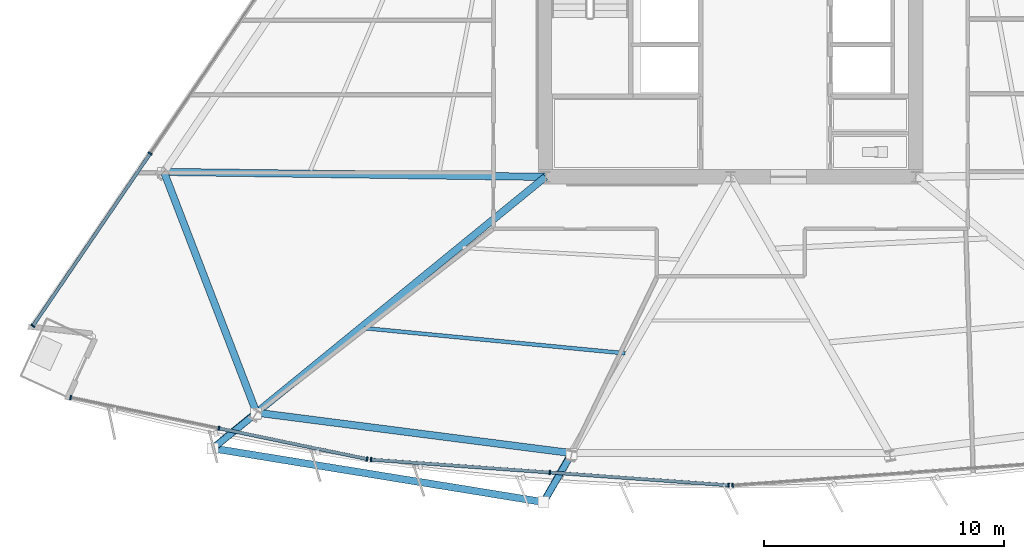
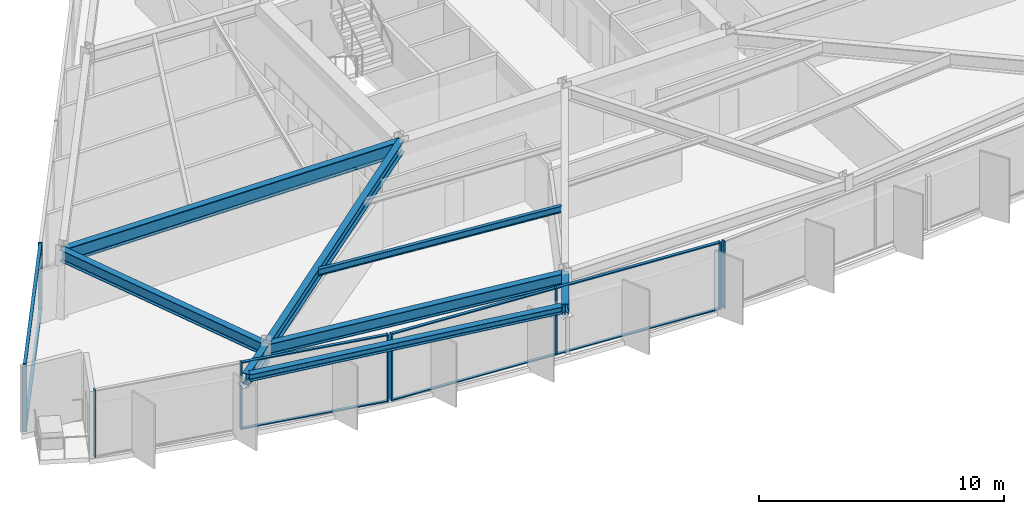
# One storey, part 2 of 17: 19 members, 8 beams, 4 elements without a shape of their own.
"""IFC4 building model written with IfcOpenShell, lengths in metres."""

import ifcopenshell
import ifcopenshell.guid

model = None  # the IFC model being written
_history = None  # IfcOwnerHistory: only IFC2X3 demands one
_inside = {}  # id of a spatial element -> (the spatial element, [elements in it])
_under = {}  # id of a project, library or spatial element -> (it, [spatial elements below it])
_declared = {}  # id of a project -> (the project, [libraries it declares])
_typed = {}  # id of a type object -> (the type object, [elements of that type])
_made_of = {}  # id of a material, layer set ... -> (it, [elements and type objects made of it])


def new_model(schema):
    """Start an empty IFC model of exactly this schema.

    Asked for "IFC4X3", IfcOpenShell would pick the latest addendum, in which some entities
    have other attributes; the version numbers below select the first issue.
    IFC2X3 requires an IfcOwnerHistory on every rooted entity: one is made here for all.
    """
    global model, _history
    if schema == "IFC4X3":
        model = ifcopenshell.file(schema_version=(4, 3, 0, 0))
    else:
        model = ifcopenshell.file(schema=schema)
    _inside.clear()
    _under.clear()
    _declared.clear()
    _typed.clear()
    _made_of.clear()
    _history = None
    if model.schema == "IFC2X3":
        org = make("IfcOrganization", Name="unknown")
        user = make(
            "IfcPersonAndOrganization",
            ThePerson=make("IfcPerson", FamilyName="unknown"),
            TheOrganization=org,
        )
        app = make(
            "IfcApplication",
            ApplicationDeveloper=org,
            Version="unknown",
            ApplicationFullName="unknown",
            ApplicationIdentifier="unknown",
        )
        _history = make(
            "IfcOwnerHistory",
            OwningUser=user,
            OwningApplication=app,
            ChangeAction="ADDED",
            CreationDate=0,
        )
    return model


def make(cls, **values):
    """One entity of the class cls with the attributes given. An attribute that is None is left unset."""
    return model.create_entity(
        cls, **{name: value for name, value in values.items() if value is not None}
    )


def rooted(cls, **values):
    """An entity with a GlobalId (a new one), such as an element, a storey or a relation."""
    return make(cls, GlobalId=ifcopenshell.guid.new(), OwnerHistory=_history, **values)


def si_unit(unit_type, name, prefix=None):
    """IfcSIUnit, for example si_unit("LENGTHUNIT", "METRE", prefix="MILLI")."""
    return make("IfcSIUnit", UnitType=unit_type, Prefix=prefix, Name=name)


def assignment(units):
    """IfcUnitAssignment: the units of a project."""
    return None if units is None else make("IfcUnitAssignment", Units=units)


def point(xyz):
    """IfcCartesianPoint."""
    return None if xyz is None else make("IfcCartesianPoint", Coordinates=xyz)


def direction(xyz):
    """IfcDirection."""
    return None if xyz is None else make("IfcDirection", DirectionRatios=xyz)


def frame(location, z_axis=None, x_axis=None):
    """IfcAxis2Placement3D, a coordinate frame: its origin and axes. An axis left out is left unset."""
    return make(
        "IfcAxis2Placement3D",
        Location=point(location),
        Axis=direction(z_axis),
        RefDirection=direction(x_axis),
    )


def frame_2d(location, x_axis=None):
    """IfcAxis2Placement2D, a coordinate frame in the plane: its origin and x axis."""
    return make(
        "IfcAxis2Placement2D", Location=point(location), RefDirection=direction(x_axis)
    )


def origin():
    """The frame at (0, 0, 0) with its axes left unset."""
    return frame((0.0, 0.0, 0.0))


def origin_2d():
    """The frame at (0, 0) in the plane with its x axis left unset."""
    return frame_2d((0.0, 0.0))


def place(relative_to, where):
    """IfcLocalPlacement: puts the frame where relative to a parent placement (None: the world)."""
    return make(
        "IfcLocalPlacement", PlacementRelTo=relative_to, RelativePlacement=where
    )


def context(
    kind, dimensions, precision=None, world=None, true_north=None, identifier=None
):
    """IfcGeometricRepresentationContext, for example the 3D "Model" context."""
    return make(
        "IfcGeometricRepresentationContext",
        ContextIdentifier=identifier,
        ContextType=kind,
        CoordinateSpaceDimension=dimensions,
        Precision=precision,
        WorldCoordinateSystem=world,
        TrueNorth=true_north,
    )


def subcontext(parent, identifier, kind, view, scale=None):
    """IfcGeometricRepresentationSubContext, for example "Body" below "Model"."""
    return make(
        "IfcGeometricRepresentationSubContext",
        ContextIdentifier=identifier,
        ContextType=kind,
        ParentContext=parent,
        TargetScale=scale,
        TargetView=view,
    )


def project(units=None, contexts=None):
    """IfcProject with its units and contexts."""
    return rooted(
        "IfcProject",
        Name="project",
        RepresentationContexts=contexts,
        UnitsInContext=assignment(units),
    )


def spatial(cls, under=None, at=None, **own):
    """A site, building, storey or space (cls), placed at a placement, below another one or the project."""
    s = rooted(cls, ObjectPlacement=at, **own)
    if under is not None:
        _under.setdefault(under.id(), (under, []))[1].append(s)
    return s


def profile(cls, at=None, kind="AREA", **sizes):
    """A parametric profile (cls). Its sizes go by their IFC names, for example OverallWidth=200.0."""
    return make(cls, ProfileType=kind, Position=at, **sizes)


def rectangle(**sizes):
    """IfcRectangleProfileDef."""
    return profile("IfcRectangleProfileDef", **sizes)


def hollow_circle(**sizes):
    """IfcCircleHollowProfileDef."""
    return profile("IfcCircleHollowProfileDef", **sizes)


def i_section(**sizes):
    """IfcIShapeProfileDef."""
    return profile("IfcIShapeProfileDef", **sizes)


def extrude(swept, where, along, depth):
    """IfcExtrudedAreaSolid: the profile swept, set in the frame where, extruded along a direction by depth."""
    return make(
        "IfcExtrudedAreaSolid",
        SweptArea=swept,
        Position=where,
        ExtrudedDirection=direction(along),
        Depth=depth,
    )


def shape(context_of_items, identifier, shape_type, items):
    """IfcShapeRepresentation: the items that make up one representation, for example the "Body"."""
    return make(
        "IfcShapeRepresentation",
        ContextOfItems=context_of_items,
        RepresentationIdentifier=identifier,
        RepresentationType=shape_type,
        Items=items,
    )


def material(Name=None, Category=None):
    """IfcMaterial."""
    return make("IfcMaterial", Name=Name, Category=Category)


def material_profile(
    of_material, cross_section, Name=None, Category=None, Priority=None
):
    """IfcMaterialProfile: a cross section and its material."""
    return make(
        "IfcMaterialProfile",
        Name=Name,
        Material=of_material,
        Profile=cross_section,
        Priority=Priority,
        Category=Category,
    )


def profile_set(profiles, Name=None, composite=None):
    """IfcMaterialProfileSet."""
    return make(
        "IfcMaterialProfileSet",
        Name=Name,
        MaterialProfiles=profiles,
        CompositeProfile=composite,
    )


def made_of(thing, what):
    """Note that an element or type object is made of a material, layer set ...; save() writes the relation."""
    if what is not None:
        _made_of.setdefault(what.id(), (what, []))[1].append(thing)
    return thing


def type_object(cls, material=None, **own):
    """A type object (cls), such as IfcWallType, which elements share."""
    return made_of(rooted(cls, **own), material)


def element(
    cls,
    number,
    at=None,
    inside=None,
    cuts=None,
    type_object=None,
    material=None,
    context=None,
    identifier="Body",
    shape_type=None,
    held_by="IfcProductDefinitionShape",
    body=None,
    shapes=None,
    **own,
):
    """One element of the class cls, such as IfcWall. Its Tag is "e" and its number.

    at: its placement. inside: the storey or other place that contains it. cuts: it is an
    opening in that element (IfcRelVoidsElement). A single representation is given by context,
    identifier, shape_type and body (its items); several are given by shapes. held_by: the class
    of the entity that holds the representations. save() writes the other relations.
    """
    e = rooted(cls, Tag="e%d" % number, ObjectPlacement=at, **own)
    if body is not None:
        shapes = [shape(context, identifier, shape_type, body)]
    if shapes is not None:
        e.Representation = make(held_by, Representations=shapes)
    if inside is not None:
        _inside.setdefault(inside.id(), (inside, []))[1].append(e)
    if cuts is not None:
        rooted(
            "IfcRelVoidsElement", RelatingBuildingElement=cuts, RelatedOpeningElement=e
        )
    if type_object is not None:
        _typed.setdefault(type_object.id(), (type_object, []))[1].append(e)
    return made_of(e, material)


def aggregate(whole, parts):
    """IfcRelAggregates: a whole, such as a stair, and the parts it consists of."""
    return rooted("IfcRelAggregates", RelatingObject=whole, RelatedObjects=parts)


def save(model, path):
    """Write the relations noted so far, then the file.

    IfcRelAggregates (storeys below a building ...), IfcRelContainedInSpatialStructure (elements
    in a storey), IfcRelDefinesByType, IfcRelAssociatesMaterial and IfcRelDeclares: one each for
    every whole, place, type object, material and project.
    """
    for whole, parts in _under.values():
        aggregate(whole, parts)
    for where, things in _inside.values():
        rooted(
            "IfcRelContainedInSpatialStructure",
            RelatedElements=things,
            RelatingStructure=where,
        )
    for kind, things in _typed.values():
        rooted("IfcRelDefinesByType", RelatedObjects=things, RelatingType=kind)
    for what, things in _made_of.values():
        rooted("IfcRelAssociatesMaterial", RelatedObjects=things, RelatingMaterial=what)
    for by, libraries in _declared.values():
        rooted("IfcRelDeclares", RelatingContext=by, RelatedDefinitions=libraries)
    model.write(path)


model = new_model("IFC4")

# Units and contexts
model_context = context("Model", 3, precision=1e-05, world=origin(), true_north=direction((0.0, 1.0)))
body_context = subcontext(model_context, "Body", "Model", "MODEL_VIEW")
ifc_project = project(units=[si_unit("LENGTHUNIT", "METRE"), si_unit("AREAUNIT", "SQUARE_METRE"), si_unit("VOLUMEUNIT", "CUBIC_METRE"), si_unit("PLANEANGLEUNIT", "RADIAN"), si_unit("MASSUNIT", "GRAM", prefix="KILO")], contexts=[model_context])

# Site, building, storey
site_placement = place(None, origin())
site = spatial("IfcSite", under=ifc_project, at=site_placement, CompositionType="ELEMENT")
building_placement = place(site_placement, origin())
building = spatial("IfcBuilding", under=site, at=building_placement, Name="Savorim Split Tower", CompositionType="ELEMENT")
storey_placement = place(building_placement, frame((0.0, 0.0, 55.199951171875)))
storey = spatial("IfcBuildingStorey", under=building, at=storey_placement, Name="L14", CompositionType="ELEMENT", Elevation=55.199951171875)

# Beams
ifc_material_1 = material(Name="Steel S355", Category="steel")
ifc_material_profile_1 = material_profile(ifc_material_1, i_section(OverallWidth=0.159912109375, OverallDepth=0.330078125, WebThickness=0.007568359375, FlangeThickness=0.011474609375, FilletRadius=0.01806640625, at=origin_2d()), Name="IPE 330")
ifc_profile_set_1 = profile_set([ifc_material_profile_1], Name="Steel S355")
beam_type_1 = type_object("IfcBeamType", Name="BM-JST-IPE330", PredefinedType="JOIST", material=ifc_profile_set_1)
beam_1_placement = place(storey_placement, frame((-15.230712890625, -15.69091796875, 3.18505859375), z_axis=(0.995375418539, -0.096061314626, 0.0), x_axis=(0.096061314626, 0.995375418539, 0.0)))
element("IfcBeam", 1, at=beam_1_placement, inside=storey, type_object=beam_type_1, Name="L14 Secondary Floor Joist JS-01", PredefinedType="JOIST", context=body_context, shape_type="SweptSolid", body=[
    extrude(i_section(OverallWidth=0.159912109375, OverallDepth=0.330078125, WebThickness=0.007568359375, FlangeThickness=0.011474609375, FilletRadius=0.01806640625, at=origin_2d()), origin(), (0.0, 0.0, 1.0), 10.892822265625),
])
ifc_material_profile_2 = material_profile(ifc_material_1, i_section(OverallWidth=0.300048828125, OverallDepth=0.550048828125, WebThickness=0.014892578125, FlangeThickness=0.029052734375, FilletRadius=0.027099609375, at=origin_2d()), Name="HEB 550")
ifc_profile_set_2 = profile_set([ifc_material_profile_2], Name="Steel S355")
beam_type_2 = type_object("IfcBeamType", Name="BM-PRI-HEB550", PredefinedType="BEAM", material=ifc_profile_set_2)
beam_2_placement = place(storey_placement, frame((-19.7158203125, -19.20556640625, 3.074951171875), z_axis=(-0.774729747802, -0.632292509738, 0.0), x_axis=(0.632292509738, -0.774729747802, 0.0)))
element("IfcBeam", 2, at=beam_2_placement, inside=storey, type_object=beam_type_2, Name="L14 Cantilevered Lounge Rib 1", PredefinedType="BEAM", context=body_context, shape_type="SweptSolid", body=[
    extrude(i_section(OverallWidth=0.300048828125, OverallDepth=0.550048828125, WebThickness=0.014892578125, FlangeThickness=0.029052734375, FilletRadius=0.027099609375, at=origin_2d()), origin(), (0.0, 0.0, 1.0), 2.349853515625),
])
beam_3_placement = place(storey_placement, frame((-6.60791015625, -20.888427734375, 3.074951171875), z_axis=(-0.498564812038, -0.866852425848, 0.0), x_axis=(0.866852425848, -0.498564812038, 0.0)))
element("IfcBeam", 3, at=beam_3_placement, inside=storey, type_object=beam_type_2, Name="L14 Cantilevered Lounge Rib 2", PredefinedType="BEAM", context=body_context, shape_type="SweptSolid", body=[
    extrude(i_section(OverallWidth=0.300048828125, OverallDepth=0.550048828125, WebThickness=0.014892578125, FlangeThickness=0.029052734375, FilletRadius=0.027099609375, at=origin_2d()), origin(), (0.0, 0.0, 1.0), 2.35009765625),
])
ifc_material_profile_3 = material_profile(ifc_material_1, i_section(OverallWidth=0.300048828125, OverallDepth=0.60009765625, WebThickness=0.015380859375, FlangeThickness=0.030029296875, FilletRadius=0.027099609375, at=origin_2d()), Name="HEB 600")
ifc_profile_set_3 = profile_set([ifc_material_profile_3], Name="Steel S355")
beam_type_3 = type_object("IfcBeamType", Name="BM-PRI-HEB600", PredefinedType="BEAM", material=ifc_profile_set_3)
beam_4_placement = place(storey_placement, frame((-19.7158203125, -19.20556640625, 3.050048828125), z_axis=(0.774762541834, 0.63225232603, 0.0), x_axis=(-0.63225232603, 0.774762541834, 0.0)))
element("IfcBeam", 4, at=beam_4_placement, inside=storey, type_object=beam_type_3, Name="L14 Primary Floor Girder RG-01", PredefinedType="BEAM", context=body_context, shape_type="SweptSolid", body=[
    extrude(i_section(OverallWidth=0.300048828125, OverallDepth=0.60009765625, WebThickness=0.015380859375, FlangeThickness=0.030029296875, FilletRadius=0.027099609375, at=origin_2d()), origin(), (0.0, 0.0, 1.0), 15.509033203125),
])
ifc_material_2 = material(Name="Steel S460", Category="steel")
ifc_material_profile_4 = material_profile(ifc_material_2, i_section(OverallWidth=0.303955078125, OverallDepth=0.716064453125, WebThickness=0.02099609375, FlangeThickness=0.0400390625, FilletRadius=0.027099609375, at=origin_2d()), Name="HE 700 M")
ifc_profile_set_4 = profile_set([ifc_material_profile_4], Name="Steel S460")
beam_type_4 = type_object("IfcBeamType", Name="BM-PRI-HEM700", PredefinedType="BEAM", material=ifc_profile_set_4)
beam_5_placement = place(storey_placement, frame((-23.56640625, -9.193603515625, 2.991943359375), z_axis=(0.999915482109, -0.013001101454, 0.0), x_axis=(0.013001101454, 0.999915482109, 0.0)))
element("IfcBeam", 5, at=beam_5_placement, inside=storey, type_object=beam_type_4, Name="L14 Primary Floor Girder RG-10", PredefinedType="BEAM", context=body_context, shape_type="SweptSolid", body=[
    extrude(i_section(OverallWidth=0.303955078125, OverallDepth=0.716064453125, WebThickness=0.02099609375, FlangeThickness=0.0400390625, FilletRadius=0.027099609375, at=origin_2d()), origin(), (0.0, 0.0, 1.0), 15.86767578125),
])
ifc_material_profile_5 = material_profile(ifc_material_1, i_section(OverallWidth=0.300048828125, OverallDepth=0.35009765625, WebThickness=0.010009765625, FlangeThickness=0.017578125, FilletRadius=0.027099609375, at=origin_2d()), Name="HEA 360")
ifc_profile_set_5 = profile_set([ifc_material_profile_5], Name="Steel S355")
beam_type_5 = type_object("IfcBeamType", Name="BM-SPN-HEA360", PredefinedType="SPANDREL", material=ifc_profile_set_5)
beam_6_placement = place(storey_placement, frame((-21.37841796875, -20.716796875, 3.175048828125), z_axis=(0.987064866442, -0.16032139419, 0.0), x_axis=(0.16032139419, 0.987064866442, 0.0)))
element("IfcBeam", 6, at=beam_6_placement, inside=storey, type_object=beam_type_5, Name="L14 Cantilevered Lounge Front Edge Beam", PredefinedType="SPANDREL", context=body_context, shape_type="SweptSolid", body=[
    extrude(i_section(OverallWidth=0.300048828125, OverallDepth=0.35009765625, WebThickness=0.010009765625, FlangeThickness=0.017578125, FilletRadius=0.027099609375, at=origin_2d()), origin(), (0.0, 0.0, 1.0), 13.616943359375),
])
ifc_material_profile_6 = material_profile(ifc_material_1, i_section(OverallWidth=0.300048828125, OverallDepth=0.590087890625, WebThickness=0.012939453125, FlangeThickness=0.02490234375, FilletRadius=0.027099609375, at=origin_2d()), Name="HEA 600")
ifc_profile_set_6 = profile_set([ifc_material_profile_6], Name="Steel S355")
beam_type_6 = type_object("IfcBeamType", Name="BM-SPN-HEA600", PredefinedType="SPANDREL", material=ifc_profile_set_6)
beam_7_placement = place(storey_placement, frame((-19.7158203125, -19.20556640625, 3.054931640625), z_axis=(0.991859124455, -0.127340006423, 0.0), x_axis=(0.127340006423, 0.991859124455, 0.0)))
element("IfcBeam", 7, at=beam_7_placement, inside=storey, type_object=beam_type_6, Name="L14 Perimeter Spandrel Beam 1", PredefinedType="SPANDREL", context=body_context, shape_type="SweptSolid", body=[
    extrude(i_section(OverallWidth=0.300048828125, OverallDepth=0.590087890625, WebThickness=0.012939453125, FlangeThickness=0.02490234375, FilletRadius=0.027099609375, at=origin_2d()), origin(), (0.0, 0.0, 1.0), 13.215576171875),
])
beam_8_placement = place(storey_placement, frame((-23.56640625, -9.193603515625, 3.054931640625), z_axis=(0.358965353084, -0.933350885405, 0.0), x_axis=(0.933350885405, 0.358965353084, 0.0)))
element("IfcBeam", 8, at=beam_8_placement, inside=storey, type_object=beam_type_6, Name="L14 Perimeter Spandrel Beam 10", PredefinedType="SPANDREL", context=body_context, shape_type="SweptSolid", body=[
    extrude(i_section(OverallWidth=0.300048828125, OverallDepth=0.590087890625, WebThickness=0.012939453125, FlangeThickness=0.02490234375, FilletRadius=0.027099609375, at=origin_2d()), origin(), (0.0, 0.0, 1.0), 10.726806640625),
])

# Curtain wall, members
ifc_material_3 = material(Name="Dark Ceramic-Fritted Insulated Glass", Category="glass")
curtain_wall_type = type_object("IfcCurtainWallType", Name="CW-TWR-FRIT-A", PredefinedType="NOTDEFINED", material=ifc_material_3)
curtain_wall_1_placement = place(storey_placement, origin())
curtain_wall_1 = element("IfcCurtainWall", 9, at=curtain_wall_1_placement, inside=storey, type_object=curtain_wall_type, Name="L14 Curtain Wall CW-L14-SF1", PredefinedType="NOTDEFINED")
ifc_material_4 = material(Name="Charcoal Anodised Aluminium", Category="aluminium")
ifc_material_profile_7 = material_profile(ifc_material_4, rectangle(XDim=0.179931640625, YDim=0.06494140625, at=origin_2d()), Name="ALU-M 180x65")
ifc_profile_set_7 = profile_set([ifc_material_profile_7], Name="Charcoal Anodised Aluminium")
member_type_1 = type_object("IfcMemberType", Name="CWM-180x65", PredefinedType="MULLION", material=ifc_profile_set_7)
member_1_placement = place(storey_placement, frame((-27.44677734375, -18.575439453125, 0.0), z_axis=(0.0, 0.0, 1.0), x_axis=(0.203214027305, 0.979134341705, 0.0)))
member_1 = element("IfcMember", 10, at=member_1_placement, type_object=member_type_1, Name="CW-02 mullion 1", PredefinedType="MULLION", context=body_context, shape_type="SweptSolid", body=[
    extrude(rectangle(XDim=0.179931640625, YDim=0.06494140625, at=origin_2d()), origin(), (0.0, 0.0, 1.0), 3.35009765625),
])
member_2_placement = place(storey_placement, frame((-21.281982421875, -19.854736328125, 0.0), z_axis=(0.0, 0.0, 1.0), x_axis=(0.203214027305, 0.979134341705, 0.0)))
member_2 = element("IfcMember", 11, at=member_2_placement, type_object=member_type_1, Name="CW-02 mullion 2", PredefinedType="MULLION", context=body_context, shape_type="SweptSolid", body=[
    extrude(rectangle(XDim=0.179931640625, YDim=0.06494140625, at=origin_2d()), origin(), (0.0, 0.0, 1.0), 3.35009765625),
])
member_3_placement = place(storey_placement, frame((-15.117431640625, -21.13427734375, 0.0), z_axis=(0.0, 0.0, 1.0), x_axis=(0.203214027305, 0.979134341705, 0.0)))
member_3 = element("IfcMember", 12, at=member_3_placement, type_object=member_type_1, Name="CW-02 mullion 3", PredefinedType="MULLION", context=body_context, shape_type="SweptSolid", body=[
    extrude(rectangle(XDim=0.179931640625, YDim=0.06494140625, at=origin_2d()), origin(), (0.0, 0.0, 1.0), 3.35009765625),
])

curtain_wall_2_placement = place(storey_placement, origin())
curtain_wall_2 = element("IfcCurtainWall", 13, at=curtain_wall_2_placement, inside=storey, type_object=curtain_wall_type, Name="L14 Curtain Wall CW-L14-SF2", PredefinedType="NOTDEFINED")
member_4_placement = place(storey_placement, frame((-14.950439453125, -21.157470703125, 0.0), z_axis=(0.0, 0.0, 1.0), x_axis=(0.071557043071, 0.997436509051, 0.0)))
member_4 = element("IfcMember", 14, at=member_4_placement, type_object=member_type_1, Name="CW-02 mullion 1", PredefinedType="MULLION", context=body_context, shape_type="SweptSolid", body=[
    extrude(rectangle(XDim=0.179931640625, YDim=0.06494140625, at=origin_2d()), origin(), (0.0, 0.0, 1.0), 3.35009765625),
])
member_5_placement = place(storey_placement, frame((-7.51708984375, -21.69091796875, 0.0), z_axis=(0.0, 0.0, 1.0), x_axis=(0.071557043071, 0.997436509051, 0.0)))
member_5 = element("IfcMember", 15, at=member_5_placement, type_object=member_type_1, Name="CW-02 mullion 2", PredefinedType="MULLION", context=body_context, shape_type="SweptSolid", body=[
    extrude(rectangle(XDim=0.179931640625, YDim=0.06494140625, at=origin_2d()), origin(), (0.0, 0.0, 1.0), 3.35009765625),
])
member_6_placement = place(storey_placement, frame((-0.083740234375, -22.22412109375, 0.0), z_axis=(0.0, 0.0, 1.0), x_axis=(0.071557043071, 0.997436509051, 0.0)))
member_6 = element("IfcMember", 16, at=member_6_placement, type_object=member_type_1, Name="CW-02 mullion 3", PredefinedType="MULLION", context=body_context, shape_type="SweptSolid", body=[
    extrude(rectangle(XDim=0.179931640625, YDim=0.06494140625, at=origin_2d()), origin(), (0.0, 0.0, 1.0), 3.35009765625),
])

# Curtain wall, member
curtain_wall_3_placement = place(storey_placement, origin())
curtain_wall_3 = element("IfcCurtainWall", 17, at=curtain_wall_3_placement, inside=storey, type_object=curtain_wall_type, Name="L14 Curtain Wall CW-L14-SF3", PredefinedType="NOTDEFINED")
member_7_placement = place(storey_placement, frame((0.083740234375, -22.22412109375, 0.0), z_axis=(0.0, 0.0, 1.0), x_axis=(-0.071557043071, 0.997436509051, 0.0)))
member_7 = element("IfcMember", 18, at=member_7_placement, type_object=member_type_1, Name="CW-02 mullion 1", PredefinedType="MULLION", context=body_context, shape_type="SweptSolid", body=[
    extrude(rectangle(XDim=0.179931640625, YDim=0.06494140625, at=origin_2d()), origin(), (0.0, 0.0, 1.0), 3.35009765625),
])
aggregate(curtain_wall_3, [member_7])

# Curtain wall, members
curtain_wall_4_placement = place(storey_placement, origin())
curtain_wall_4 = element("IfcCurtainWall", 19, at=curtain_wall_4_placement, inside=storey, type_object=curtain_wall_type, Name="L14 Curtain Wall CW-L14-WEST", PredefinedType="NOTDEFINED")
member_8_placement = place(storey_placement, frame((-24.13720703125, -8.42578125, 0.0), z_axis=(0.0, 0.0, 1.0), x_axis=(0.826820172644, -0.562466356423, 0.0)))
member_8 = element("IfcMember", 20, at=member_8_placement, type_object=member_type_1, Name="CW-02 mullion 4", PredefinedType="MULLION", context=body_context, shape_type="SweptSolid", body=[
    extrude(rectangle(XDim=0.179931640625, YDim=0.06494140625, at=origin_2d()), origin(), (0.0, 0.0, 1.0), 3.35009765625),
])
member_9_placement = place(storey_placement, frame((-29.014404296875, -15.59521484375, 0.0), z_axis=(0.0, 0.0, 1.0), x_axis=(0.826820172644, -0.562466356423, 0.0)))
member_9 = element("IfcMember", 21, at=member_9_placement, type_object=member_type_1, Name="CW-02 mullion 5", PredefinedType="MULLION", context=body_context, shape_type="SweptSolid", body=[
    extrude(rectangle(XDim=0.179931640625, YDim=0.06494140625, at=origin_2d()), origin(), (0.0, 0.0, 1.0), 3.35009765625),
])

# Member
ifc_material_profile_8 = material_profile(ifc_material_4, rectangle(XDim=0.139892578125, YDim=0.054931640625, at=origin_2d()), Name="ALU-T 140x55")
ifc_profile_set_8 = profile_set([ifc_material_profile_8], Name="Charcoal Anodised Aluminium")
member_type_2 = type_object("IfcMemberType", Name="CWT-140x55", PredefinedType="USERDEFINED", material=ifc_profile_set_8)
member_10_placement = place(storey_placement, frame((-21.250244140625, -19.861572265625, 0.027587890625), z_axis=(0.979138544299, -0.20319377714, 0.0), x_axis=(0.20319377714, 0.979138544299, 0.0)))
member_10 = element("IfcMember", 22, at=member_10_placement, type_object=member_type_2, Name="CW-02 transom 2.1", ObjectType="TRANSOM", PredefinedType="USERDEFINED", context=body_context, shape_type="SweptSolid", body=[
    extrude(rectangle(XDim=0.139892578125, YDim=0.054931640625, at=origin_2d()), origin(), (0.0, 0.0, 1.0), 6.23095703125),
])

member_11_placement = place(storey_placement, frame((-21.250244140625, -19.861572265625, 3.322509765625), z_axis=(0.979138544299, -0.20319377714, 0.0), x_axis=(0.20319377714, 0.979138544299, 0.0)))
member_11 = element("IfcMember", 23, at=member_11_placement, type_object=member_type_2, Name="CW-02 transom 2.2", ObjectType="TRANSOM", PredefinedType="USERDEFINED", context=body_context, shape_type="SweptSolid", body=[
    extrude(rectangle(XDim=0.139892578125, YDim=0.054931640625, at=origin_2d()), origin(), (0.0, 0.0, 1.0), 6.23095703125),
])

aggregate(curtain_wall_1, [member_1, member_2, member_3, member_10, member_11])

member_12_placement = place(storey_placement, frame((-14.91796875, -21.159912109375, 0.027587890625), z_axis=(0.997437012917, -0.071550019316, 0.0), x_axis=(0.071550019316, 0.997437012917, 0.0)))
member_12 = element("IfcMember", 24, at=member_12_placement, type_object=member_type_2, Name="CW-02 transom 1.1", ObjectType="TRANSOM", PredefinedType="USERDEFINED", context=body_context, shape_type="SweptSolid", body=[
    extrude(rectangle(XDim=0.139892578125, YDim=0.054931640625, at=origin_2d()), origin(), (0.0, 0.0, 1.0), 7.387451171875),
])

member_13_placement = place(storey_placement, frame((-14.91796875, -21.159912109375, 3.322509765625), z_axis=(0.997437012917, -0.071550019316, 0.0), x_axis=(0.071550019316, 0.997437012917, 0.0)))
member_13 = element("IfcMember", 25, at=member_13_placement, type_object=member_type_2, Name="CW-02 transom 1.2", ObjectType="TRANSOM", PredefinedType="USERDEFINED", context=body_context, shape_type="SweptSolid", body=[
    extrude(rectangle(XDim=0.139892578125, YDim=0.054931640625, at=origin_2d()), origin(), (0.0, 0.0, 1.0), 7.387451171875),
])

member_14_placement = place(storey_placement, frame((-7.484619140625, -21.693115234375, 0.027587890625), z_axis=(0.997437012917, -0.071550019316, 0.0), x_axis=(0.071550019316, 0.997437012917, 0.0)))
member_14 = element("IfcMember", 26, at=member_14_placement, type_object=member_type_2, Name="CW-02 transom 2.1", ObjectType="TRANSOM", PredefinedType="USERDEFINED", context=body_context, shape_type="SweptSolid", body=[
    extrude(rectangle(XDim=0.139892578125, YDim=0.054931640625, at=origin_2d()), origin(), (0.0, 0.0, 1.0), 7.387451171875),
])

member_15_placement = place(storey_placement, frame((-7.484619140625, -21.693115234375, 3.322509765625), z_axis=(0.997437012917, -0.071550019316, 0.0), x_axis=(0.071550019316, 0.997437012917, 0.0)))
member_15 = element("IfcMember", 27, at=member_15_placement, type_object=member_type_2, Name="CW-02 transom 2.2", ObjectType="TRANSOM", PredefinedType="USERDEFINED", context=body_context, shape_type="SweptSolid", body=[
    extrude(rectangle(XDim=0.139892578125, YDim=0.054931640625, at=origin_2d()), origin(), (0.0, 0.0, 1.0), 7.387451171875),
])

aggregate(curtain_wall_2, [member_4, member_5, member_6, member_12, member_13, member_14, member_15])

member_16_placement = place(storey_placement, frame((-24.155517578125, -8.45263671875, 0.027587890625), z_axis=(-0.562459768651, -0.826824654113, 0.0), x_axis=(0.826824654113, -0.562459768651, 0.0)))
member_16 = element("IfcMember", 28, at=member_16_placement, type_object=member_type_2, Name="CW-02 transom 4.1", ObjectType="TRANSOM", PredefinedType="USERDEFINED", context=body_context, shape_type="SweptSolid", body=[
    extrude(rectangle(XDim=0.139892578125, YDim=0.054931640625, at=origin_2d()), origin(), (0.0, 0.0, 1.0), 8.606201171875),
])

member_17_placement = place(storey_placement, frame((-24.155517578125, -8.45263671875, 3.322509765625), z_axis=(-0.562459768651, -0.826824654113, 0.0), x_axis=(0.826824654113, -0.562459768651, 0.0)))
member_17 = element("IfcMember", 29, at=member_17_placement, type_object=member_type_2, Name="CW-02 transom 4.2", ObjectType="TRANSOM", PredefinedType="USERDEFINED", context=body_context, shape_type="SweptSolid", body=[
    extrude(rectangle(XDim=0.139892578125, YDim=0.054931640625, at=origin_2d()), origin(), (0.0, 0.0, 1.0), 8.606201171875),
])

aggregate(curtain_wall_4, [member_8, member_9, member_16, member_17])

# Members
ifc_material_profile_9 = material_profile(ifc_material_1, hollow_circle(Radius=0.136474609375, WallThickness=0.01611328125, at=origin_2d()), Name="CHS 273x16")
ifc_profile_set_9 = profile_set([ifc_material_profile_9], Name="Steel S355")
member_type_3 = type_object("IfcMemberType", Name="MBR-CRN-CHS273", PredefinedType="BRACE", material=ifc_profile_set_9)
member_18_placement = place(storey_placement, frame((-19.7392578125, -19.243896484375, 2.449951171875), z_axis=(-0.768961614866, -0.619368756221, 0.158367858733), x_axis=(0.627284979283, -0.778789801401, 0.0)))
element("IfcMember", 30, at=member_18_placement, inside=storey, type_object=member_type_3, Name="L14 Cantilevered Bay Support Strut 1", PredefinedType="BRACE", context=body_context, shape_type="SweptSolid", body=[
    extrude(hollow_circle(Radius=0.136474609375, WallThickness=0.01611328125, at=origin_2d()), origin(), (0.0, 0.0, 1.0), 2.337158203125),
])
member_19_placement = place(storey_placement, frame((-6.61572265625, -20.928955078125, 2.449951171875), z_axis=(-0.49725840142, -0.853068849762, 0.158137977041), x_axis=(0.863939782908, -0.503595126574, 0.0)))
element("IfcMember", 31, at=member_19_placement, inside=storey, type_object=member_type_3, Name="L14 Cantilevered Bay Support Strut 2", PredefinedType="BRACE", context=body_context, shape_type="SweptSolid", body=[
    extrude(hollow_circle(Radius=0.136474609375, WallThickness=0.01611328125, at=origin_2d()), origin(), (0.0, 0.0, 1.0), 2.340576171875),
])

save(model, "model.ifc")
